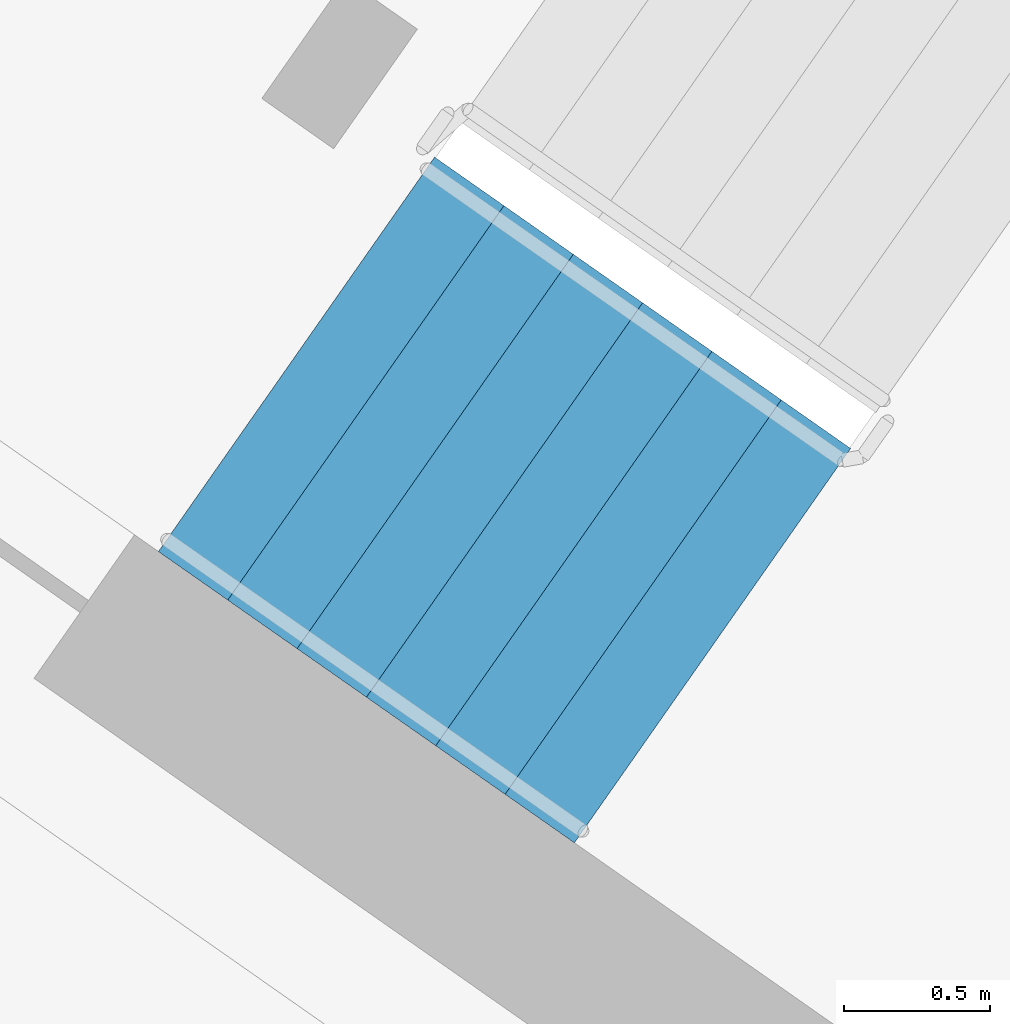
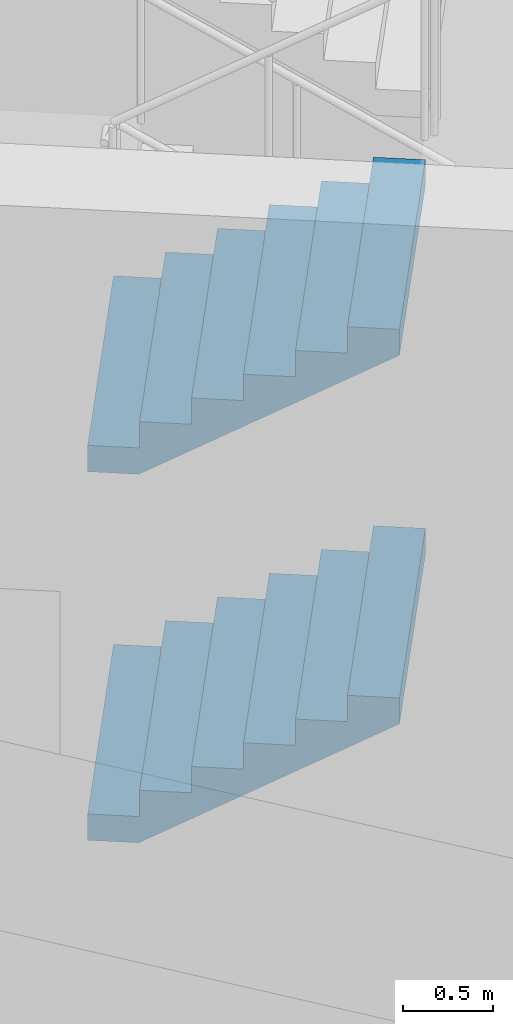
# One storey, part 13 of 24: 2 stair flights, 1 element without a shape of its own.
"""IFC4 building model written with IfcOpenShell, lengths in metres."""

from ifc_helpers import new_model, si_unit, direction, frame, origin, place, context, subcontext, project, spatial, faceted_brep, material, type_object, element, aggregate, save


model = new_model("IFC4")

# Units and contexts
model_context = context("Model", 3, precision=1e-05, world=origin(), true_north=direction((0.0, 1.0)))
body_context = subcontext(model_context, "Body", "Model", "MODEL_VIEW")
ifc_project = project(units=[si_unit("LENGTHUNIT", "METRE"), si_unit("AREAUNIT", "SQUARE_METRE"), si_unit("VOLUMEUNIT", "CUBIC_METRE"), si_unit("PLANEANGLEUNIT", "RADIAN"), si_unit("MASSUNIT", "GRAM", prefix="KILO")], contexts=[model_context])

# Site, building, storey
site_placement = place(None, origin())
site = spatial("IfcSite", under=ifc_project, at=site_placement, CompositionType="ELEMENT")
building_placement = place(site_placement, origin())
building = spatial("IfcBuilding", under=site, at=building_placement, Name="Qamariyya Broadcast Tower", CompositionType="ELEMENT")
storey_placement = place(building_placement, frame((0.0, 0.0, 198.699951171875)))
storey = spatial("IfcBuildingStorey", under=building, at=storey_placement, Name="L47", CompositionType="ELEMENT", Elevation=198.699951171875)

# Stair, stair flights
ifc_material = material(Name="Concrete C50/60", Category="concrete")
stair_type = type_object("IfcStairType", Name="Exit stair 28 risers of 179 mm", PredefinedType="HALF_TURN_STAIR", material=ifc_material)
stair_placement = place(storey_placement, origin())
stair = element("IfcStair", 1, at=stair_placement, inside=storey, type_object=stair_type, Name="L47 Stair W1", PredefinedType="HALF_TURN_STAIR")
stair_flight_type = type_object("IfcStairFlightType", Name="Exit stair flight 7 risers of 179 mm", PredefinedType="STRAIGHT", material=ifc_material)
stair_flight_1_placement = place(storey_placement, frame((-47.06884765625, -56.982666015625, 0.0), z_axis=(0.0, 0.0, 1.0), x_axis=(0.819152044289, -0.573576436351, 0.0)))
stair_flight_1 = element("IfcStairFlight", 2, at=stair_flight_1_placement, type_object=stair_flight_type, Name="ST-W1 flight 1", NumberOfRisers=7, NumberOfTreads=6, PredefinedType="STRAIGHT", RiserHeight=0.178571429, TreadLength=0.29, context=body_context, shape_type="Brep", body=[
    faceted_brep([(0.0, 0.824951171875, 0.0), (0.0, 0.824951171875, 0.178466796875), (0.2900390625, 0.824951171875, 0.178466796875), (0.2900390625, 0.824951171875, 0.357177734375), (0.580078125, 0.824951171875, 0.357177734375), (0.580078125, 0.824951171875, 0.53564453125), (0.8701171875, 0.824951171875, 0.53564453125), (0.8701171875, 0.824951171875, 0.71435546875), (1.159912109375, 0.824951171875, 0.71435546875), (1.159912109375, 0.824951171875, 0.892822265625), (1.449951171875, 0.824951171875, 0.892822265625), (1.449951171875, 0.824951171875, 1.071533203125), (1.739990234375, 0.824951171875, 1.071533203125), (1.739990234375, 0.824951171875, 0.8955078125), (0.285888671875, 0.824951171875, 0.0), (0.285888671875, -0.824951171875, 0.0), (1.739990234375, -0.824951171875, 0.8955078125), (1.739990234375, -0.824951171875, 1.071533203125), (1.449951171875, -0.824951171875, 1.071533203125), (1.449951171875, -0.824951171875, 0.892822265625), (1.159912109375, -0.824951171875, 0.892822265625), (1.159912109375, -0.824951171875, 0.71435546875), (0.8701171875, -0.824951171875, 0.71435546875), (0.8701171875, -0.824951171875, 0.53564453125), (0.580078125, -0.824951171875, 0.53564453125), (0.580078125, -0.824951171875, 0.357177734375), (0.2900390625, -0.824951171875, 0.357177734375), (0.2900390625, -0.824951171875, 0.178466796875), (0.0, -0.824951171875, 0.178466796875), (0.0, -0.824951171875, 0.0), (0.0, 0.10009765625, 0.0), (0.0, 0.086669921875, 0.0), (0.0, 0.0732421875, 0.0), (0.0, 0.06005859375, 0.0), (0.0, 0.046630859375, 0.0), (0.0, 0.033447265625, 0.0), (0.0, 0.02001953125, 0.0), (0.0, 0.006591796875, 0.0), (0.0, -0.006591796875, 0.0), (0.0, -0.02001953125, 0.0), (0.0, -0.033447265625, 0.0), (0.0, -0.046630859375, 0.0), (0.0, -0.06005859375, 0.0), (0.0, -0.0732421875, 0.0), (0.0, -0.086669921875, 0.0), (0.0, -0.10009765625, 0.0), (0.0, -0.10009765625, 0.178466796875), (0.0, -0.086669921875, 0.178466796875), (0.0, -0.0732421875, 0.178466796875), (0.0, -0.06005859375, 0.178466796875), (0.0, -0.046630859375, 0.178466796875), (0.0, -0.033447265625, 0.178466796875), (0.0, -0.02001953125, 0.178466796875), (0.0, -0.006591796875, 0.178466796875), (0.0, 0.006591796875, 0.178466796875), (0.0, 0.02001953125, 0.178466796875), (0.0, 0.033447265625, 0.178466796875), (0.0, 0.046630859375, 0.178466796875), (0.0, 0.06005859375, 0.178466796875), (0.0, 0.0732421875, 0.178466796875), (0.0, 0.086669921875, 0.178466796875), (0.0, 0.10009765625, 0.178466796875), (0.2900390625, -0.10009765625, 0.178466796875), (0.2900390625, -0.086669921875, 0.178466796875), (0.2900390625, -0.0732421875, 0.178466796875), (0.2900390625, -0.06005859375, 0.178466796875), (0.2900390625, -0.046630859375, 0.178466796875), (0.2900390625, -0.033447265625, 0.178466796875), (0.2900390625, -0.02001953125, 0.178466796875), (0.2900390625, -0.006591796875, 0.178466796875), (0.2900390625, 0.006591796875, 0.178466796875), (0.2900390625, 0.02001953125, 0.178466796875), (0.2900390625, 0.033447265625, 0.178466796875), (0.2900390625, 0.046630859375, 0.178466796875), (0.2900390625, 0.06005859375, 0.178466796875), (0.2900390625, 0.0732421875, 0.178466796875), (0.2900390625, 0.086669921875, 0.178466796875), (0.2900390625, 0.10009765625, 0.178466796875), (0.2900390625, -0.10009765625, 0.357177734375), (0.2900390625, -0.086669921875, 0.357177734375), (0.2900390625, -0.0732421875, 0.357177734375), (0.2900390625, -0.06005859375, 0.357177734375), (0.2900390625, -0.046630859375, 0.357177734375), (0.2900390625, -0.033447265625, 0.357177734375), (0.2900390625, -0.02001953125, 0.357177734375), (0.2900390625, -0.006591796875, 0.357177734375), (0.2900390625, 0.006591796875, 0.357177734375), (0.2900390625, 0.02001953125, 0.357177734375), (0.2900390625, 0.033447265625, 0.357177734375), (0.2900390625, 0.046630859375, 0.357177734375), (0.2900390625, 0.06005859375, 0.357177734375), (0.2900390625, 0.0732421875, 0.357177734375), (0.2900390625, 0.086669921875, 0.357177734375), (0.2900390625, 0.10009765625, 0.357177734375), (0.580078125, -0.10009765625, 0.357177734375), (0.580078125, -0.086669921875, 0.357177734375), (0.580078125, -0.0732421875, 0.357177734375), (0.580078125, -0.06005859375, 0.357177734375), (0.580078125, -0.046630859375, 0.357177734375), (0.580078125, -0.033447265625, 0.357177734375), (0.580078125, -0.02001953125, 0.357177734375), (0.580078125, -0.006591796875, 0.357177734375), (0.580078125, 0.006591796875, 0.357177734375), (0.580078125, 0.02001953125, 0.357177734375), (0.580078125, 0.033447265625, 0.357177734375), (0.580078125, 0.046630859375, 0.357177734375), (0.580078125, 0.06005859375, 0.357177734375), (0.580078125, 0.0732421875, 0.357177734375), (0.580078125, 0.086669921875, 0.357177734375), (0.580078125, 0.10009765625, 0.357177734375), (0.580078125, -0.10009765625, 0.53564453125), (0.580078125, -0.086669921875, 0.53564453125), (0.580078125, -0.0732421875, 0.53564453125), (0.580078125, -0.06005859375, 0.53564453125), (0.580078125, -0.046630859375, 0.53564453125), (0.580078125, -0.033447265625, 0.53564453125), (0.580078125, -0.02001953125, 0.53564453125), (0.580078125, -0.006591796875, 0.53564453125), (0.580078125, 0.006591796875, 0.53564453125), (0.580078125, 0.02001953125, 0.53564453125), (0.580078125, 0.033447265625, 0.53564453125), (0.580078125, 0.046630859375, 0.53564453125), (0.580078125, 0.06005859375, 0.53564453125), (0.580078125, 0.0732421875, 0.53564453125), (0.580078125, 0.086669921875, 0.53564453125), (0.580078125, 0.10009765625, 0.53564453125), (0.8701171875, -0.10009765625, 0.53564453125), (0.8701171875, -0.086669921875, 0.53564453125), (0.8701171875, -0.0732421875, 0.53564453125), (0.8701171875, -0.06005859375, 0.53564453125), (0.8701171875, -0.046630859375, 0.53564453125), (0.8701171875, -0.033447265625, 0.53564453125), (0.8701171875, -0.02001953125, 0.53564453125), (0.8701171875, -0.006591796875, 0.53564453125), (0.8701171875, 0.006591796875, 0.53564453125), (0.8701171875, 0.02001953125, 0.53564453125), (0.8701171875, 0.033447265625, 0.53564453125), (0.8701171875, 0.046630859375, 0.53564453125), (0.8701171875, 0.06005859375, 0.53564453125), (0.8701171875, 0.0732421875, 0.53564453125), (0.8701171875, 0.086669921875, 0.53564453125), (0.8701171875, 0.10009765625, 0.53564453125), (0.8701171875, -0.10009765625, 0.71435546875), (0.8701171875, -0.086669921875, 0.71435546875), (0.8701171875, -0.0732421875, 0.71435546875), (0.8701171875, -0.06005859375, 0.71435546875), (0.8701171875, -0.046630859375, 0.71435546875), (0.8701171875, -0.033447265625, 0.71435546875), (0.8701171875, -0.02001953125, 0.71435546875), (0.8701171875, -0.006591796875, 0.71435546875), (0.8701171875, 0.006591796875, 0.71435546875), (0.8701171875, 0.02001953125, 0.71435546875), (0.8701171875, 0.033447265625, 0.71435546875), (0.8701171875, 0.046630859375, 0.71435546875), (0.8701171875, 0.06005859375, 0.71435546875), (0.8701171875, 0.0732421875, 0.71435546875), (0.8701171875, 0.086669921875, 0.71435546875), (0.8701171875, 0.10009765625, 0.71435546875), (1.159912109375, -0.10009765625, 0.71435546875), (1.159912109375, -0.086669921875, 0.71435546875), (1.159912109375, -0.0732421875, 0.71435546875), (1.159912109375, -0.06005859375, 0.71435546875), (1.159912109375, -0.046630859375, 0.71435546875), (1.159912109375, -0.033447265625, 0.71435546875), (1.159912109375, -0.02001953125, 0.71435546875), (1.159912109375, -0.006591796875, 0.71435546875), (1.159912109375, 0.006591796875, 0.71435546875), (1.159912109375, 0.02001953125, 0.71435546875), (1.159912109375, 0.033447265625, 0.71435546875), (1.159912109375, 0.046630859375, 0.71435546875), (1.159912109375, 0.06005859375, 0.71435546875), (1.159912109375, 0.0732421875, 0.71435546875), (1.159912109375, 0.086669921875, 0.71435546875), (1.159912109375, 0.10009765625, 0.71435546875), (1.159912109375, -0.10009765625, 0.892822265625), (1.159912109375, -0.086669921875, 0.892822265625), (1.159912109375, -0.0732421875, 0.892822265625), (1.159912109375, -0.06005859375, 0.892822265625), (1.159912109375, -0.046630859375, 0.892822265625), (1.159912109375, -0.033447265625, 0.892822265625), (1.159912109375, -0.02001953125, 0.892822265625), (1.159912109375, -0.006591796875, 0.892822265625), (1.159912109375, 0.006591796875, 0.892822265625), (1.159912109375, 0.02001953125, 0.892822265625), (1.159912109375, 0.033447265625, 0.892822265625), (1.159912109375, 0.046630859375, 0.892822265625), (1.159912109375, 0.06005859375, 0.892822265625), (1.159912109375, 0.0732421875, 0.892822265625), (1.159912109375, 0.086669921875, 0.892822265625), (1.159912109375, 0.10009765625, 0.892822265625), (1.449951171875, -0.10009765625, 0.892822265625), (1.449951171875, -0.086669921875, 0.892822265625), (1.449951171875, -0.0732421875, 0.892822265625), (1.449951171875, -0.06005859375, 0.892822265625), (1.449951171875, -0.046630859375, 0.892822265625), (1.449951171875, -0.033447265625, 0.892822265625), (1.449951171875, -0.02001953125, 0.892822265625), (1.449951171875, -0.006591796875, 0.892822265625), (1.449951171875, 0.006591796875, 0.892822265625), (1.449951171875, 0.02001953125, 0.892822265625), (1.449951171875, 0.033447265625, 0.892822265625), (1.449951171875, 0.046630859375, 0.892822265625), (1.449951171875, 0.06005859375, 0.892822265625), (1.449951171875, 0.0732421875, 0.892822265625), (1.449951171875, 0.086669921875, 0.892822265625), (1.449951171875, 0.10009765625, 0.892822265625), (1.449951171875, -0.10009765625, 1.071533203125), (1.449951171875, -0.086669921875, 1.071533203125), (1.449951171875, -0.0732421875, 1.071533203125), (1.449951171875, -0.06005859375, 1.071533203125), (1.449951171875, -0.046630859375, 1.071533203125), (1.449951171875, -0.033447265625, 1.071533203125), (1.449951171875, -0.02001953125, 1.071533203125), (1.449951171875, -0.006591796875, 1.071533203125), (1.449951171875, 0.006591796875, 1.071533203125), (1.449951171875, 0.02001953125, 1.071533203125), (1.449951171875, 0.033447265625, 1.071533203125), (1.449951171875, 0.046630859375, 1.071533203125), (1.449951171875, 0.06005859375, 1.071533203125), (1.449951171875, 0.0732421875, 1.071533203125), (1.449951171875, 0.086669921875, 1.071533203125), (1.449951171875, 0.10009765625, 1.071533203125), (1.739990234375, -0.10009765625, 1.071533203125), (1.739990234375, -0.086669921875, 1.071533203125), (1.739990234375, -0.0732421875, 1.071533203125), (1.739990234375, -0.06005859375, 1.071533203125), (1.739990234375, -0.046630859375, 1.071533203125), (1.739990234375, -0.033447265625, 1.071533203125), (1.739990234375, -0.02001953125, 1.071533203125), (1.739990234375, -0.006591796875, 1.071533203125), (1.739990234375, 0.006591796875, 1.071533203125), (1.739990234375, 0.02001953125, 1.071533203125), (1.739990234375, 0.033447265625, 1.071533203125), (1.739990234375, 0.046630859375, 1.071533203125), (1.739990234375, 0.06005859375, 1.071533203125), (1.739990234375, 0.0732421875, 1.071533203125), (1.739990234375, 0.086669921875, 1.071533203125), (1.739990234375, 0.10009765625, 1.071533203125), (1.739990234375, -0.10009765625, 0.8955078125), (1.739990234375, -0.086669921875, 0.8955078125), (1.739990234375, -0.0732421875, 0.8955078125), (1.739990234375, -0.06005859375, 0.8955078125), (1.739990234375, -0.046630859375, 0.8955078125), (1.739990234375, -0.033447265625, 0.8955078125), (1.739990234375, -0.02001953125, 0.8955078125), (1.739990234375, -0.006591796875, 0.8955078125), (1.739990234375, 0.006591796875, 0.8955078125), (1.739990234375, 0.02001953125, 0.8955078125), (1.739990234375, 0.033447265625, 0.8955078125), (1.739990234375, 0.046630859375, 0.8955078125), (1.739990234375, 0.06005859375, 0.8955078125), (1.739990234375, 0.0732421875, 0.8955078125), (1.739990234375, 0.086669921875, 0.8955078125), (1.739990234375, 0.10009765625, 0.8955078125), (0.285888671875, -0.10009765625, 0.0), (0.285888671875, -0.086669921875, 0.0), (0.285888671875, -0.0732421875, 0.0), (0.285888671875, -0.06005859375, 0.0), (0.285888671875, -0.046630859375, 0.0), (0.285888671875, -0.033447265625, 0.0), (0.285888671875, -0.02001953125, 0.0), (0.285888671875, -0.006591796875, 0.0), (0.285888671875, 0.006591796875, 0.0), (0.285888671875, 0.02001953125, 0.0), (0.285888671875, 0.033447265625, 0.0), (0.285888671875, 0.046630859375, 0.0), (0.285888671875, 0.06005859375, 0.0), (0.285888671875, 0.0732421875, 0.0), (0.285888671875, 0.086669921875, 0.0), (0.285888671875, 0.10009765625, 0.0)], [[[0, 1, 2, 3, 4, 5, 6, 7, 8, 9, 10, 11, 12, 13, 14]], [[15, 16, 17, 18, 19, 20, 21, 22, 23, 24, 25, 26, 27, 28, 29]], [[0, 30, 31, 32, 33, 34, 35, 36, 37, 38, 39, 40, 41, 42, 43, 44, 45, 29, 28, 46, 47, 48, 49, 50, 51, 52, 53, 54, 55, 56, 57, 58, 59, 60, 61, 1]], [[1, 61, 60, 59, 58, 57, 56, 55, 54, 53, 52, 51, 50, 49, 48, 47, 46, 28, 27, 62, 63, 64, 65, 66, 67, 68, 69, 70, 71, 72, 73, 74, 75, 76, 77, 2]], [[2, 77, 76, 75, 74, 73, 72, 71, 70, 69, 68, 67, 66, 65, 64, 63, 62, 27, 26, 78, 79, 80, 81, 82, 83, 84, 85, 86, 87, 88, 89, 90, 91, 92, 93, 3]], [[3, 93, 92, 91, 90, 89, 88, 87, 86, 85, 84, 83, 82, 81, 80, 79, 78, 26, 25, 94, 95, 96, 97, 98, 99, 100, 101, 102, 103, 104, 105, 106, 107, 108, 109, 4]], [[4, 109, 108, 107, 106, 105, 104, 103, 102, 101, 100, 99, 98, 97, 96, 95, 94, 25, 24, 110, 111, 112, 113, 114, 115, 116, 117, 118, 119, 120, 121, 122, 123, 124, 125, 5]], [[5, 125, 124, 123, 122, 121, 120, 119, 118, 117, 116, 115, 114, 113, 112, 111, 110, 24, 23, 126, 127, 128, 129, 130, 131, 132, 133, 134, 135, 136, 137, 138, 139, 140, 141, 6]], [[6, 141, 140, 139, 138, 137, 136, 135, 134, 133, 132, 131, 130, 129, 128, 127, 126, 23, 22, 142, 143, 144, 145, 146, 147, 148, 149, 150, 151, 152, 153, 154, 155, 156, 157, 7]], [[7, 157, 156, 155, 154, 153, 152, 151, 150, 149, 148, 147, 146, 145, 144, 143, 142, 22, 21, 158, 159, 160, 161, 162, 163, 164, 165, 166, 167, 168, 169, 170, 171, 172, 173, 8]], [[8, 173, 172, 171, 170, 169, 168, 167, 166, 165, 164, 163, 162, 161, 160, 159, 158, 21, 20, 174, 175, 176, 177, 178, 179, 180, 181, 182, 183, 184, 185, 186, 187, 188, 189, 9]], [[9, 189, 188, 187, 186, 185, 184, 183, 182, 181, 180, 179, 178, 177, 176, 175, 174, 20, 19, 190, 191, 192, 193, 194, 195, 196, 197, 198, 199, 200, 201, 202, 203, 204, 205, 10]], [[10, 205, 204, 203, 202, 201, 200, 199, 198, 197, 196, 195, 194, 193, 192, 191, 190, 19, 18, 206, 207, 208, 209, 210, 211, 212, 213, 214, 215, 216, 217, 218, 219, 220, 221, 11]], [[11, 221, 220, 219, 218, 217, 216, 215, 214, 213, 212, 211, 210, 209, 208, 207, 206, 18, 17, 222, 223, 224, 225, 226, 227, 228, 229, 230, 231, 232, 233, 234, 235, 236, 237, 12]], [[12, 237, 236, 235, 234, 233, 232, 231, 230, 229, 228, 227, 226, 225, 224, 223, 222, 17, 16, 238, 239, 240, 241, 242, 243, 244, 245, 246, 247, 248, 249, 250, 251, 252, 253, 13]], [[13, 253, 252, 251, 250, 249, 248, 247, 246, 245, 244, 243, 242, 241, 240, 239, 238, 16, 15, 254, 255, 256, 257, 258, 259, 260, 261, 262, 263, 264, 265, 266, 267, 268, 269, 14]], [[14, 269, 268, 267, 266, 265, 264, 263, 262, 261, 260, 259, 258, 257, 256, 255, 254, 15, 29, 45, 44, 43, 42, 41, 40, 39, 38, 37, 36, 35, 34, 33, 32, 31, 30, 0]]]),
])
stair_flight_2_placement = place(storey_placement, frame((-47.06884765625, -56.982666015625, 2.5), z_axis=(0.0, 0.0, 1.0), x_axis=(0.819152044289, -0.573576436351, 0.0)))
stair_flight_2 = element("IfcStairFlight", 3, at=stair_flight_2_placement, type_object=stair_flight_type, Name="ST-W1 flight 3", NumberOfRisers=7, NumberOfTreads=6, PredefinedType="STRAIGHT", RiserHeight=0.178571429, TreadLength=0.29, context=body_context, shape_type="Brep", body=[
    faceted_brep([(0.0, 0.824951171875, 0.0), (0.0, 0.824951171875, 0.178466796875), (0.2900390625, 0.824951171875, 0.178466796875), (0.2900390625, 0.824951171875, 0.357177734375), (0.580078125, 0.824951171875, 0.357177734375), (0.580078125, 0.824951171875, 0.53564453125), (0.8701171875, 0.824951171875, 0.53564453125), (0.8701171875, 0.824951171875, 0.71435546875), (1.159912109375, 0.824951171875, 0.71435546875), (1.159912109375, 0.824951171875, 0.892822265625), (1.449951171875, 0.824951171875, 0.892822265625), (1.449951171875, 0.824951171875, 1.071533203125), (1.739990234375, 0.824951171875, 1.071533203125), (1.739990234375, 0.824951171875, 0.8955078125), (0.285888671875, 0.824951171875, 0.0), (0.285888671875, -0.824951171875, 0.0), (1.739990234375, -0.824951171875, 0.8955078125), (1.739990234375, -0.824951171875, 1.071533203125), (1.449951171875, -0.824951171875, 1.071533203125), (1.449951171875, -0.824951171875, 0.892822265625), (1.159912109375, -0.824951171875, 0.892822265625), (1.159912109375, -0.824951171875, 0.71435546875), (0.8701171875, -0.824951171875, 0.71435546875), (0.8701171875, -0.824951171875, 0.53564453125), (0.580078125, -0.824951171875, 0.53564453125), (0.580078125, -0.824951171875, 0.357177734375), (0.2900390625, -0.824951171875, 0.357177734375), (0.2900390625, -0.824951171875, 0.178466796875), (0.0, -0.824951171875, 0.178466796875), (0.0, -0.824951171875, 0.0), (0.0, 0.10009765625, 0.0), (0.0, 0.086669921875, 0.0), (0.0, 0.0732421875, 0.0), (0.0, 0.06005859375, 0.0), (0.0, 0.046630859375, 0.0), (0.0, 0.033447265625, 0.0), (0.0, 0.02001953125, 0.0), (0.0, 0.006591796875, 0.0), (0.0, -0.006591796875, 0.0), (0.0, -0.02001953125, 0.0), (0.0, -0.033447265625, 0.0), (0.0, -0.046630859375, 0.0), (0.0, -0.06005859375, 0.0), (0.0, -0.0732421875, 0.0), (0.0, -0.086669921875, 0.0), (0.0, -0.10009765625, 0.0), (0.0, -0.10009765625, 0.178466796875), (0.0, -0.086669921875, 0.178466796875), (0.0, -0.0732421875, 0.178466796875), (0.0, -0.06005859375, 0.178466796875), (0.0, -0.046630859375, 0.178466796875), (0.0, -0.033447265625, 0.178466796875), (0.0, -0.02001953125, 0.178466796875), (0.0, -0.006591796875, 0.178466796875), (0.0, 0.006591796875, 0.178466796875), (0.0, 0.02001953125, 0.178466796875), (0.0, 0.033447265625, 0.178466796875), (0.0, 0.046630859375, 0.178466796875), (0.0, 0.06005859375, 0.178466796875), (0.0, 0.0732421875, 0.178466796875), (0.0, 0.086669921875, 0.178466796875), (0.0, 0.10009765625, 0.178466796875), (0.2900390625, -0.10009765625, 0.178466796875), (0.2900390625, -0.086669921875, 0.178466796875), (0.2900390625, -0.0732421875, 0.178466796875), (0.2900390625, -0.06005859375, 0.178466796875), (0.2900390625, -0.046630859375, 0.178466796875), (0.2900390625, -0.033447265625, 0.178466796875), (0.2900390625, -0.02001953125, 0.178466796875), (0.2900390625, -0.006591796875, 0.178466796875), (0.2900390625, 0.006591796875, 0.178466796875), (0.2900390625, 0.02001953125, 0.178466796875), (0.2900390625, 0.033447265625, 0.178466796875), (0.2900390625, 0.046630859375, 0.178466796875), (0.2900390625, 0.06005859375, 0.178466796875), (0.2900390625, 0.0732421875, 0.178466796875), (0.2900390625, 0.086669921875, 0.178466796875), (0.2900390625, 0.10009765625, 0.178466796875), (0.2900390625, -0.10009765625, 0.357177734375), (0.2900390625, -0.086669921875, 0.357177734375), (0.2900390625, -0.0732421875, 0.357177734375), (0.2900390625, -0.06005859375, 0.357177734375), (0.2900390625, -0.046630859375, 0.357177734375), (0.2900390625, -0.033447265625, 0.357177734375), (0.2900390625, -0.02001953125, 0.357177734375), (0.2900390625, -0.006591796875, 0.357177734375), (0.2900390625, 0.006591796875, 0.357177734375), (0.2900390625, 0.02001953125, 0.357177734375), (0.2900390625, 0.033447265625, 0.357177734375), (0.2900390625, 0.046630859375, 0.357177734375), (0.2900390625, 0.06005859375, 0.357177734375), (0.2900390625, 0.0732421875, 0.357177734375), (0.2900390625, 0.086669921875, 0.357177734375), (0.2900390625, 0.10009765625, 0.357177734375), (0.580078125, -0.10009765625, 0.357177734375), (0.580078125, -0.086669921875, 0.357177734375), (0.580078125, -0.0732421875, 0.357177734375), (0.580078125, -0.06005859375, 0.357177734375), (0.580078125, -0.046630859375, 0.357177734375), (0.580078125, -0.033447265625, 0.357177734375), (0.580078125, -0.02001953125, 0.357177734375), (0.580078125, -0.006591796875, 0.357177734375), (0.580078125, 0.006591796875, 0.357177734375), (0.580078125, 0.02001953125, 0.357177734375), (0.580078125, 0.033447265625, 0.357177734375), (0.580078125, 0.046630859375, 0.357177734375), (0.580078125, 0.06005859375, 0.357177734375), (0.580078125, 0.0732421875, 0.357177734375), (0.580078125, 0.086669921875, 0.357177734375), (0.580078125, 0.10009765625, 0.357177734375), (0.580078125, -0.10009765625, 0.53564453125), (0.580078125, -0.086669921875, 0.53564453125), (0.580078125, -0.0732421875, 0.53564453125), (0.580078125, -0.06005859375, 0.53564453125), (0.580078125, -0.046630859375, 0.53564453125), (0.580078125, -0.033447265625, 0.53564453125), (0.580078125, -0.02001953125, 0.53564453125), (0.580078125, -0.006591796875, 0.53564453125), (0.580078125, 0.006591796875, 0.53564453125), (0.580078125, 0.02001953125, 0.53564453125), (0.580078125, 0.033447265625, 0.53564453125), (0.580078125, 0.046630859375, 0.53564453125), (0.580078125, 0.06005859375, 0.53564453125), (0.580078125, 0.0732421875, 0.53564453125), (0.580078125, 0.086669921875, 0.53564453125), (0.580078125, 0.10009765625, 0.53564453125), (0.8701171875, -0.10009765625, 0.53564453125), (0.8701171875, -0.086669921875, 0.53564453125), (0.8701171875, -0.0732421875, 0.53564453125), (0.8701171875, -0.06005859375, 0.53564453125), (0.8701171875, -0.046630859375, 0.53564453125), (0.8701171875, -0.033447265625, 0.53564453125), (0.8701171875, -0.02001953125, 0.53564453125), (0.8701171875, -0.006591796875, 0.53564453125), (0.8701171875, 0.006591796875, 0.53564453125), (0.8701171875, 0.02001953125, 0.53564453125), (0.8701171875, 0.033447265625, 0.53564453125), (0.8701171875, 0.046630859375, 0.53564453125), (0.8701171875, 0.06005859375, 0.53564453125), (0.8701171875, 0.0732421875, 0.53564453125), (0.8701171875, 0.086669921875, 0.53564453125), (0.8701171875, 0.10009765625, 0.53564453125), (0.8701171875, -0.10009765625, 0.71435546875), (0.8701171875, -0.086669921875, 0.71435546875), (0.8701171875, -0.0732421875, 0.71435546875), (0.8701171875, -0.06005859375, 0.71435546875), (0.8701171875, -0.046630859375, 0.71435546875), (0.8701171875, -0.033447265625, 0.71435546875), (0.8701171875, -0.02001953125, 0.71435546875), (0.8701171875, -0.006591796875, 0.71435546875), (0.8701171875, 0.006591796875, 0.71435546875), (0.8701171875, 0.02001953125, 0.71435546875), (0.8701171875, 0.033447265625, 0.71435546875), (0.8701171875, 0.046630859375, 0.71435546875), (0.8701171875, 0.06005859375, 0.71435546875), (0.8701171875, 0.0732421875, 0.71435546875), (0.8701171875, 0.086669921875, 0.71435546875), (0.8701171875, 0.10009765625, 0.71435546875), (1.159912109375, -0.10009765625, 0.71435546875), (1.159912109375, -0.086669921875, 0.71435546875), (1.159912109375, -0.0732421875, 0.71435546875), (1.159912109375, -0.06005859375, 0.71435546875), (1.159912109375, -0.046630859375, 0.71435546875), (1.159912109375, -0.033447265625, 0.71435546875), (1.159912109375, -0.02001953125, 0.71435546875), (1.159912109375, -0.006591796875, 0.71435546875), (1.159912109375, 0.006591796875, 0.71435546875), (1.159912109375, 0.02001953125, 0.71435546875), (1.159912109375, 0.033447265625, 0.71435546875), (1.159912109375, 0.046630859375, 0.71435546875), (1.159912109375, 0.06005859375, 0.71435546875), (1.159912109375, 0.0732421875, 0.71435546875), (1.159912109375, 0.086669921875, 0.71435546875), (1.159912109375, 0.10009765625, 0.71435546875), (1.159912109375, -0.10009765625, 0.892822265625), (1.159912109375, -0.086669921875, 0.892822265625), (1.159912109375, -0.0732421875, 0.892822265625), (1.159912109375, -0.06005859375, 0.892822265625), (1.159912109375, -0.046630859375, 0.892822265625), (1.159912109375, -0.033447265625, 0.892822265625), (1.159912109375, -0.02001953125, 0.892822265625), (1.159912109375, -0.006591796875, 0.892822265625), (1.159912109375, 0.006591796875, 0.892822265625), (1.159912109375, 0.02001953125, 0.892822265625), (1.159912109375, 0.033447265625, 0.892822265625), (1.159912109375, 0.046630859375, 0.892822265625), (1.159912109375, 0.06005859375, 0.892822265625), (1.159912109375, 0.0732421875, 0.892822265625), (1.159912109375, 0.086669921875, 0.892822265625), (1.159912109375, 0.10009765625, 0.892822265625), (1.449951171875, -0.10009765625, 0.892822265625), (1.449951171875, -0.086669921875, 0.892822265625), (1.449951171875, -0.0732421875, 0.892822265625), (1.449951171875, -0.06005859375, 0.892822265625), (1.449951171875, -0.046630859375, 0.892822265625), (1.449951171875, -0.033447265625, 0.892822265625), (1.449951171875, -0.02001953125, 0.892822265625), (1.449951171875, -0.006591796875, 0.892822265625), (1.449951171875, 0.006591796875, 0.892822265625), (1.449951171875, 0.02001953125, 0.892822265625), (1.449951171875, 0.033447265625, 0.892822265625), (1.449951171875, 0.046630859375, 0.892822265625), (1.449951171875, 0.06005859375, 0.892822265625), (1.449951171875, 0.0732421875, 0.892822265625), (1.449951171875, 0.086669921875, 0.892822265625), (1.449951171875, 0.10009765625, 0.892822265625), (1.449951171875, -0.10009765625, 1.071533203125), (1.449951171875, -0.086669921875, 1.071533203125), (1.449951171875, -0.0732421875, 1.071533203125), (1.449951171875, -0.06005859375, 1.071533203125), (1.449951171875, -0.046630859375, 1.071533203125), (1.449951171875, -0.033447265625, 1.071533203125), (1.449951171875, -0.02001953125, 1.071533203125), (1.449951171875, -0.006591796875, 1.071533203125), (1.449951171875, 0.006591796875, 1.071533203125), (1.449951171875, 0.02001953125, 1.071533203125), (1.449951171875, 0.033447265625, 1.071533203125), (1.449951171875, 0.046630859375, 1.071533203125), (1.449951171875, 0.06005859375, 1.071533203125), (1.449951171875, 0.0732421875, 1.071533203125), (1.449951171875, 0.086669921875, 1.071533203125), (1.449951171875, 0.10009765625, 1.071533203125), (1.739990234375, -0.10009765625, 1.071533203125), (1.739990234375, -0.086669921875, 1.071533203125), (1.739990234375, -0.0732421875, 1.071533203125), (1.739990234375, -0.06005859375, 1.071533203125), (1.739990234375, -0.046630859375, 1.071533203125), (1.739990234375, -0.033447265625, 1.071533203125), (1.739990234375, -0.02001953125, 1.071533203125), (1.739990234375, -0.006591796875, 1.071533203125), (1.739990234375, 0.006591796875, 1.071533203125), (1.739990234375, 0.02001953125, 1.071533203125), (1.739990234375, 0.033447265625, 1.071533203125), (1.739990234375, 0.046630859375, 1.071533203125), (1.739990234375, 0.06005859375, 1.071533203125), (1.739990234375, 0.0732421875, 1.071533203125), (1.739990234375, 0.086669921875, 1.071533203125), (1.739990234375, 0.10009765625, 1.071533203125), (1.739990234375, -0.10009765625, 0.8955078125), (1.739990234375, -0.086669921875, 0.8955078125), (1.739990234375, -0.0732421875, 0.8955078125), (1.739990234375, -0.06005859375, 0.8955078125), (1.739990234375, -0.046630859375, 0.8955078125), (1.739990234375, -0.033447265625, 0.8955078125), (1.739990234375, -0.02001953125, 0.8955078125), (1.739990234375, -0.006591796875, 0.8955078125), (1.739990234375, 0.006591796875, 0.8955078125), (1.739990234375, 0.02001953125, 0.8955078125), (1.739990234375, 0.033447265625, 0.8955078125), (1.739990234375, 0.046630859375, 0.8955078125), (1.739990234375, 0.06005859375, 0.8955078125), (1.739990234375, 0.0732421875, 0.8955078125), (1.739990234375, 0.086669921875, 0.8955078125), (1.739990234375, 0.10009765625, 0.8955078125), (0.285888671875, -0.10009765625, 0.0), (0.285888671875, -0.086669921875, 0.0), (0.285888671875, -0.0732421875, 0.0), (0.285888671875, -0.06005859375, 0.0), (0.285888671875, -0.046630859375, 0.0), (0.285888671875, -0.033447265625, 0.0), (0.285888671875, -0.02001953125, 0.0), (0.285888671875, -0.006591796875, 0.0), (0.285888671875, 0.006591796875, 0.0), (0.285888671875, 0.02001953125, 0.0), (0.285888671875, 0.033447265625, 0.0), (0.285888671875, 0.046630859375, 0.0), (0.285888671875, 0.06005859375, 0.0), (0.285888671875, 0.0732421875, 0.0), (0.285888671875, 0.086669921875, 0.0), (0.285888671875, 0.10009765625, 0.0)], [[[0, 1, 2, 3, 4, 5, 6, 7, 8, 9, 10, 11, 12, 13, 14]], [[15, 16, 17, 18, 19, 20, 21, 22, 23, 24, 25, 26, 27, 28, 29]], [[0, 30, 31, 32, 33, 34, 35, 36, 37, 38, 39, 40, 41, 42, 43, 44, 45, 29, 28, 46, 47, 48, 49, 50, 51, 52, 53, 54, 55, 56, 57, 58, 59, 60, 61, 1]], [[1, 61, 60, 59, 58, 57, 56, 55, 54, 53, 52, 51, 50, 49, 48, 47, 46, 28, 27, 62, 63, 64, 65, 66, 67, 68, 69, 70, 71, 72, 73, 74, 75, 76, 77, 2]], [[2, 77, 76, 75, 74, 73, 72, 71, 70, 69, 68, 67, 66, 65, 64, 63, 62, 27, 26, 78, 79, 80, 81, 82, 83, 84, 85, 86, 87, 88, 89, 90, 91, 92, 93, 3]], [[3, 93, 92, 91, 90, 89, 88, 87, 86, 85, 84, 83, 82, 81, 80, 79, 78, 26, 25, 94, 95, 96, 97, 98, 99, 100, 101, 102, 103, 104, 105, 106, 107, 108, 109, 4]], [[4, 109, 108, 107, 106, 105, 104, 103, 102, 101, 100, 99, 98, 97, 96, 95, 94, 25, 24, 110, 111, 112, 113, 114, 115, 116, 117, 118, 119, 120, 121, 122, 123, 124, 125, 5]], [[5, 125, 124, 123, 122, 121, 120, 119, 118, 117, 116, 115, 114, 113, 112, 111, 110, 24, 23, 126, 127, 128, 129, 130, 131, 132, 133, 134, 135, 136, 137, 138, 139, 140, 141, 6]], [[6, 141, 140, 139, 138, 137, 136, 135, 134, 133, 132, 131, 130, 129, 128, 127, 126, 23, 22, 142, 143, 144, 145, 146, 147, 148, 149, 150, 151, 152, 153, 154, 155, 156, 157, 7]], [[7, 157, 156, 155, 154, 153, 152, 151, 150, 149, 148, 147, 146, 145, 144, 143, 142, 22, 21, 158, 159, 160, 161, 162, 163, 164, 165, 166, 167, 168, 169, 170, 171, 172, 173, 8]], [[8, 173, 172, 171, 170, 169, 168, 167, 166, 165, 164, 163, 162, 161, 160, 159, 158, 21, 20, 174, 175, 176, 177, 178, 179, 180, 181, 182, 183, 184, 185, 186, 187, 188, 189, 9]], [[9, 189, 188, 187, 186, 185, 184, 183, 182, 181, 180, 179, 178, 177, 176, 175, 174, 20, 19, 190, 191, 192, 193, 194, 195, 196, 197, 198, 199, 200, 201, 202, 203, 204, 205, 10]], [[10, 205, 204, 203, 202, 201, 200, 199, 198, 197, 196, 195, 194, 193, 192, 191, 190, 19, 18, 206, 207, 208, 209, 210, 211, 212, 213, 214, 215, 216, 217, 218, 219, 220, 221, 11]], [[11, 221, 220, 219, 218, 217, 216, 215, 214, 213, 212, 211, 210, 209, 208, 207, 206, 18, 17, 222, 223, 224, 225, 226, 227, 228, 229, 230, 231, 232, 233, 234, 235, 236, 237, 12]], [[12, 237, 236, 235, 234, 233, 232, 231, 230, 229, 228, 227, 226, 225, 224, 223, 222, 17, 16, 238, 239, 240, 241, 242, 243, 244, 245, 246, 247, 248, 249, 250, 251, 252, 253, 13]], [[13, 253, 252, 251, 250, 249, 248, 247, 246, 245, 244, 243, 242, 241, 240, 239, 238, 16, 15, 254, 255, 256, 257, 258, 259, 260, 261, 262, 263, 264, 265, 266, 267, 268, 269, 14]], [[14, 269, 268, 267, 266, 265, 264, 263, 262, 261, 260, 259, 258, 257, 256, 255, 254, 15, 29, 45, 44, 43, 42, 41, 40, 39, 38, 37, 36, 35, 34, 33, 32, 31, 30, 0]]]),
])
aggregate(stair, [stair_flight_1, stair_flight_2])

save(model, "model.ifc")
